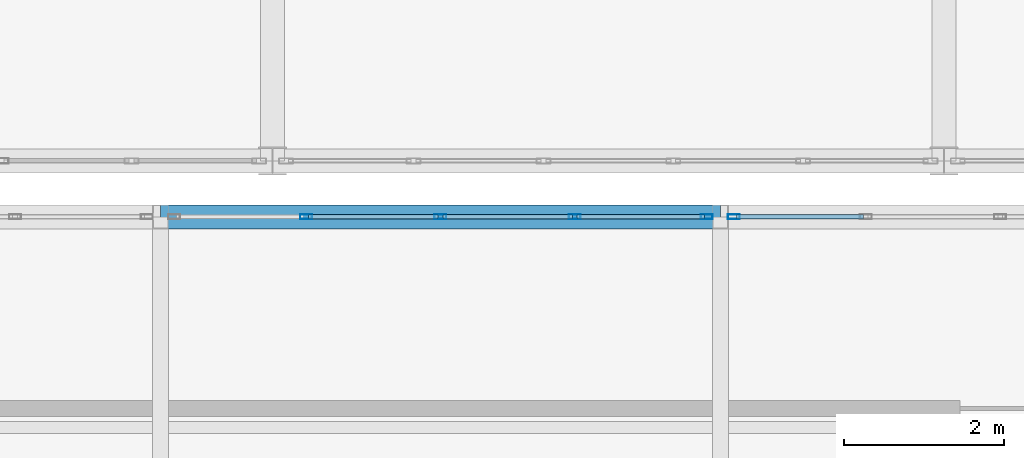
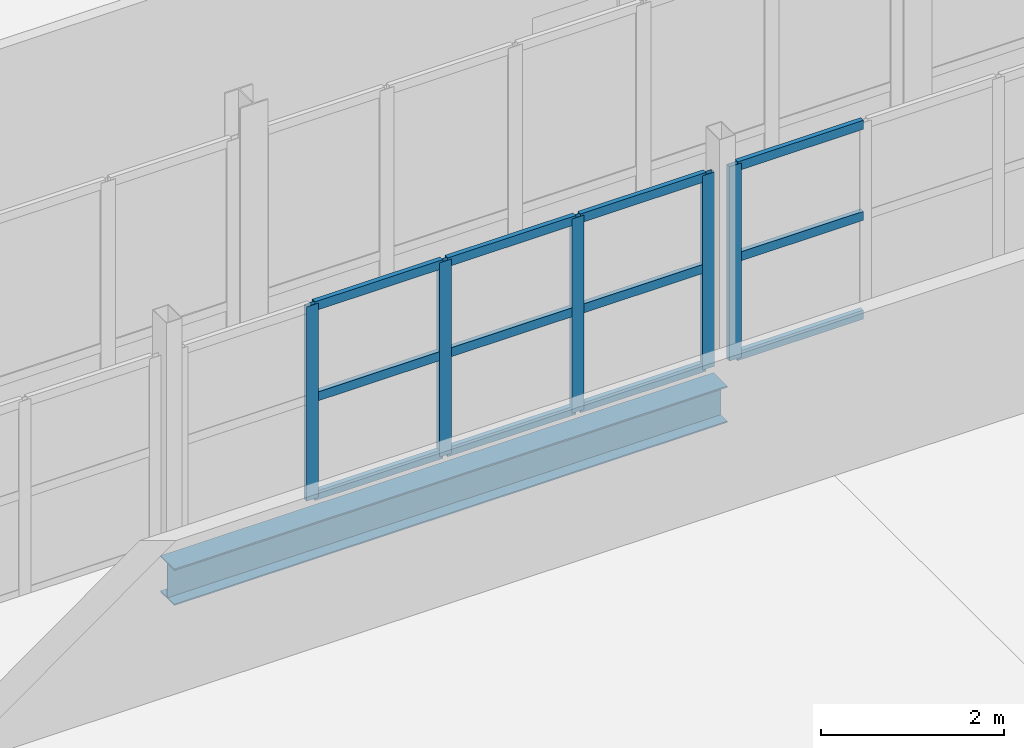
# One storey, part 70 of 218: 17 members, 1 beam, 2 elements without a shape of their own.
"""IFC4 building model written with IfcOpenShell, lengths in metres."""

from ifc_helpers import new_model, si_unit, direction, frame, origin, origin_2d, place, context, subcontext, project, spatial, hollow_rectangle, i_section, extrude, material, material_profile, profile_set, type_object, element, aggregate, save


model = new_model("IFC4")

# Units and contexts
model_context = context("Model", 3, precision=1e-05, world=origin(), true_north=direction((0.0, 1.0)))
body_context = subcontext(model_context, "Body", "Model", "MODEL_VIEW")
ifc_project = project(units=[si_unit("LENGTHUNIT", "METRE"), si_unit("AREAUNIT", "SQUARE_METRE"), si_unit("VOLUMEUNIT", "CUBIC_METRE"), si_unit("PLANEANGLEUNIT", "RADIAN"), si_unit("MASSUNIT", "GRAM", prefix="KILO")], contexts=[model_context])

# Site, building, storey
site_placement = place(None, origin())
site = spatial("IfcSite", under=ifc_project, at=site_placement, CompositionType="ELEMENT")
building_placement = place(site_placement, origin())
building = spatial("IfcBuilding", under=site, at=building_placement, Name="Kazenagashi Tramway Depot", CompositionType="ELEMENT")
storey_placement = place(building_placement, frame((0.0, 0.0, 6.0)))
storey = spatial("IfcBuildingStorey", under=building, at=storey_placement, Name="L02", CompositionType="ELEMENT", Elevation=6.0)

# Curtain wall, members
ifc_material_1 = material(Name="Anodised Aluminium and Low-E Glazing", Category="aluminium")
curtain_wall_type = type_object("IfcCurtainWallType", Name="CW-32", PredefinedType="USERDEFINED", material=ifc_material_1)
curtain_wall_1_placement = place(storey_placement, origin())
curtain_wall_1 = element("IfcCurtainWall", 1, at=curtain_wall_1_placement, inside=storey, type_object=curtain_wall_type, Name="Industrial Glazed Screen CW-32 CW-0175", ObjectType="GLAZED SCREEN", PredefinedType="USERDEFINED")
ifc_material_2 = material(Name="Anodised Aluminium", Category="aluminium")
ifc_material_profile_1 = material_profile(ifc_material_2, hollow_rectangle(XDim=0.06, YDim=0.15, WallThickness=0.004, at=origin_2d()), Name="RHS-150x60x4")
ifc_profile_set_1 = profile_set([ifc_material_profile_1], Name="Anodised Aluminium")
member_type_1 = type_object("IfcMemberType", Name="ML-01", PredefinedType="MULLION", material=ifc_profile_set_1)
member_1_placement = place(storey_placement, frame((112.42, 15.8, 0.0), z_axis=(0.0, 0.0, 1.0), x_axis=(0.0, 1.0, 0.0)))
member_1 = element("IfcMember", 2, at=member_1_placement, type_object=member_type_1, Name="CW-32 mullion 2", PredefinedType="MULLION", context=body_context, shape_type="SweptSolid", body=[
    extrude(hollow_rectangle(XDim=0.06, YDim=0.15, WallThickness=0.004, at=origin_2d()), origin(), (0.0, 0.0, 1.0), 2.6),
])
member_2_placement = place(storey_placement, frame((114.1, 15.8, 0.0), z_axis=(0.0, 0.0, 1.0), x_axis=(0.0, 1.0, 0.0)))
member_2 = element("IfcMember", 3, at=member_2_placement, type_object=member_type_1, Name="CW-32 mullion 3", PredefinedType="MULLION", context=body_context, shape_type="SweptSolid", body=[
    extrude(hollow_rectangle(XDim=0.06, YDim=0.15, WallThickness=0.004, at=origin_2d()), origin(), (0.0, 0.0, 1.0), 2.6),
])
member_3_placement = place(storey_placement, frame((115.78, 15.8, 0.0), z_axis=(0.0, 0.0, 1.0), x_axis=(0.0, 1.0, 0.0)))
member_3 = element("IfcMember", 4, at=member_3_placement, type_object=member_type_1, Name="CW-32 mullion 4", PredefinedType="MULLION", context=body_context, shape_type="SweptSolid", body=[
    extrude(hollow_rectangle(XDim=0.06, YDim=0.15, WallThickness=0.004, at=origin_2d()), origin(), (0.0, 0.0, 1.0), 2.6),
])
member_4_placement = place(storey_placement, frame((117.43, 15.8, 0.0), z_axis=(0.0, 0.0, 1.0), x_axis=(0.0, 1.0, 0.0)))
member_4 = element("IfcMember", 5, at=member_4_placement, type_object=member_type_1, Name="CW-32 mullion 5", PredefinedType="MULLION", context=body_context, shape_type="SweptSolid", body=[
    extrude(hollow_rectangle(XDim=0.06, YDim=0.15, WallThickness=0.004, at=origin_2d()), origin(), (0.0, 0.0, 1.0), 2.6),
])

# Curtain wall, member
curtain_wall_2_placement = place(storey_placement, origin())
curtain_wall_2 = element("IfcCurtainWall", 6, at=curtain_wall_2_placement, inside=storey, type_object=curtain_wall_type, Name="Industrial Glazed Screen CW-32 CW-0176", ObjectType="GLAZED SCREEN", PredefinedType="USERDEFINED")
member_5_placement = place(storey_placement, frame((117.77, 15.8, 0.0), z_axis=(0.0, 0.0, 1.0), x_axis=(0.0, 1.0, 0.0)))
member_5 = element("IfcMember", 7, at=member_5_placement, type_object=member_type_1, Name="CW-32 mullion 1", PredefinedType="MULLION", context=body_context, shape_type="SweptSolid", body=[
    extrude(hollow_rectangle(XDim=0.06, YDim=0.15, WallThickness=0.004, at=origin_2d()), origin(), (0.0, 0.0, 1.0), 2.6),
])

# Beam
ifc_material_3 = material(Name="Steel SN490B", Category="steel")
ifc_material_profile_2 = material_profile(ifc_material_3, i_section(OverallWidth=0.3, OverallDepth=0.488, WebThickness=0.011, FlangeThickness=0.018, at=origin_2d()), Name="H-488x300x11x18")
ifc_profile_set_2 = profile_set([ifc_material_profile_2], Name="Steel SN490B")
beam_type = type_object("IfcBeamType", Name="SP-02", PredefinedType="SPANDREL", material=ifc_profile_set_2)
beam_placement = place(storey_placement, frame((110.6, 15.8, -0.469), z_axis=(1.0, 0.0, 0.0), x_axis=(0.0, 1.0, 0.0)))
element("IfcBeam", 8, at=beam_placement, inside=storey, type_object=beam_type, Name="Beam SP-02 BM-1603", PredefinedType="SPANDREL", context=body_context, shape_type="SweptSolid", body=[
    extrude(i_section(OverallWidth=0.3, OverallDepth=0.488, WebThickness=0.011, FlangeThickness=0.018, at=origin_2d()), origin(), (0.0, 0.0, 1.0), 7.0),
])

# Member
ifc_material_profile_3 = material_profile(ifc_material_2, hollow_rectangle(XDim=0.06, YDim=0.12, WallThickness=0.004, at=origin_2d()), Name="RHS-120x60x4")
ifc_profile_set_3 = profile_set([ifc_material_profile_3], Name="Anodised Aluminium")
member_type_2 = type_object("IfcMemberType", Name="TR-01", PredefinedType="USERDEFINED", material=ifc_profile_set_3)
member_6_placement = place(storey_placement, frame((112.45, 15.8, 0.03), z_axis=(1.0, 0.0, 0.0), x_axis=(0.0, 1.0, 0.0)))
member_6 = element("IfcMember", 9, at=member_6_placement, type_object=member_type_2, Name="CW-32 transom 2.1", ObjectType="TRANSOM", PredefinedType="USERDEFINED", context=body_context, shape_type="SweptSolid", body=[
    extrude(hollow_rectangle(XDim=0.06, YDim=0.12, WallThickness=0.004, at=origin_2d()), origin(), (0.0, 0.0, 1.0), 1.62),
])

member_7_placement = place(storey_placement, frame((112.45, 15.8, 1.352), z_axis=(1.0, 0.0, 0.0), x_axis=(0.0, 1.0, 0.0)))
member_7 = element("IfcMember", 10, at=member_7_placement, type_object=member_type_2, Name="CW-32 transom 2.2", ObjectType="TRANSOM", PredefinedType="USERDEFINED", context=body_context, shape_type="SweptSolid", body=[
    extrude(hollow_rectangle(XDim=0.06, YDim=0.12, WallThickness=0.004, at=origin_2d()), origin(), (0.0, 0.0, 1.0), 1.62),
])

member_8_placement = place(storey_placement, frame((112.45, 15.8, 2.57), z_axis=(1.0, 0.0, 0.0), x_axis=(0.0, 1.0, 0.0)))
member_8 = element("IfcMember", 11, at=member_8_placement, type_object=member_type_2, Name="CW-32 transom 2.3", ObjectType="TRANSOM", PredefinedType="USERDEFINED", context=body_context, shape_type="SweptSolid", body=[
    extrude(hollow_rectangle(XDim=0.06, YDim=0.12, WallThickness=0.004, at=origin_2d()), origin(), (0.0, 0.0, 1.0), 1.62),
])

member_9_placement = place(storey_placement, frame((114.13, 15.8, 0.03), z_axis=(1.0, 0.0, 0.0), x_axis=(0.0, 1.0, 0.0)))
member_9 = element("IfcMember", 12, at=member_9_placement, type_object=member_type_2, Name="CW-32 transom 3.1", ObjectType="TRANSOM", PredefinedType="USERDEFINED", context=body_context, shape_type="SweptSolid", body=[
    extrude(hollow_rectangle(XDim=0.06, YDim=0.12, WallThickness=0.004, at=origin_2d()), origin(), (0.0, 0.0, 1.0), 1.62),
])

member_10_placement = place(storey_placement, frame((114.13, 15.8, 1.352), z_axis=(1.0, 0.0, 0.0), x_axis=(0.0, 1.0, 0.0)))
member_10 = element("IfcMember", 13, at=member_10_placement, type_object=member_type_2, Name="CW-32 transom 3.2", ObjectType="TRANSOM", PredefinedType="USERDEFINED", context=body_context, shape_type="SweptSolid", body=[
    extrude(hollow_rectangle(XDim=0.06, YDim=0.12, WallThickness=0.004, at=origin_2d()), origin(), (0.0, 0.0, 1.0), 1.62),
])

member_11_placement = place(storey_placement, frame((114.13, 15.8, 2.57), z_axis=(1.0, 0.0, 0.0), x_axis=(0.0, 1.0, 0.0)))
member_11 = element("IfcMember", 14, at=member_11_placement, type_object=member_type_2, Name="CW-32 transom 3.3", ObjectType="TRANSOM", PredefinedType="USERDEFINED", context=body_context, shape_type="SweptSolid", body=[
    extrude(hollow_rectangle(XDim=0.06, YDim=0.12, WallThickness=0.004, at=origin_2d()), origin(), (0.0, 0.0, 1.0), 1.62),
])

member_12_placement = place(storey_placement, frame((115.81, 15.8, 0.03), z_axis=(1.0, 0.0, 0.0), x_axis=(0.0, 1.0, 0.0)))
member_12 = element("IfcMember", 15, at=member_12_placement, type_object=member_type_2, Name="CW-32 transom 4.1", ObjectType="TRANSOM", PredefinedType="USERDEFINED", context=body_context, shape_type="SweptSolid", body=[
    extrude(hollow_rectangle(XDim=0.06, YDim=0.12, WallThickness=0.004, at=origin_2d()), origin(), (0.0, 0.0, 1.0), 1.59),
])

member_13_placement = place(storey_placement, frame((115.81, 15.8, 1.352), z_axis=(1.0, 0.0, 0.0), x_axis=(0.0, 1.0, 0.0)))
member_13 = element("IfcMember", 16, at=member_13_placement, type_object=member_type_2, Name="CW-32 transom 4.2", ObjectType="TRANSOM", PredefinedType="USERDEFINED", context=body_context, shape_type="SweptSolid", body=[
    extrude(hollow_rectangle(XDim=0.06, YDim=0.12, WallThickness=0.004, at=origin_2d()), origin(), (0.0, 0.0, 1.0), 1.59),
])

member_14_placement = place(storey_placement, frame((115.81, 15.8, 2.57), z_axis=(1.0, 0.0, 0.0), x_axis=(0.0, 1.0, 0.0)))
member_14 = element("IfcMember", 17, at=member_14_placement, type_object=member_type_2, Name="CW-32 transom 4.3", ObjectType="TRANSOM", PredefinedType="USERDEFINED", context=body_context, shape_type="SweptSolid", body=[
    extrude(hollow_rectangle(XDim=0.06, YDim=0.12, WallThickness=0.004, at=origin_2d()), origin(), (0.0, 0.0, 1.0), 1.59),
])

aggregate(curtain_wall_1, [member_1, member_2, member_3, member_4, member_6, member_7, member_8, member_9, member_10, member_11, member_12, member_13, member_14])

member_15_placement = place(storey_placement, frame((117.8, 15.8, 0.03), z_axis=(1.0, 0.0, 0.0), x_axis=(0.0, 1.0, 0.0)))
member_15 = element("IfcMember", 18, at=member_15_placement, type_object=member_type_2, Name="CW-32 transom 1.1", ObjectType="TRANSOM", PredefinedType="USERDEFINED", context=body_context, shape_type="SweptSolid", body=[
    extrude(hollow_rectangle(XDim=0.06, YDim=0.12, WallThickness=0.004, at=origin_2d()), origin(), (0.0, 0.0, 1.0), 1.59),
])

member_16_placement = place(storey_placement, frame((117.8, 15.8, 1.352), z_axis=(1.0, 0.0, 0.0), x_axis=(0.0, 1.0, 0.0)))
member_16 = element("IfcMember", 19, at=member_16_placement, type_object=member_type_2, Name="CW-32 transom 1.2", ObjectType="TRANSOM", PredefinedType="USERDEFINED", context=body_context, shape_type="SweptSolid", body=[
    extrude(hollow_rectangle(XDim=0.06, YDim=0.12, WallThickness=0.004, at=origin_2d()), origin(), (0.0, 0.0, 1.0), 1.59),
])

member_17_placement = place(storey_placement, frame((117.8, 15.8, 2.57), z_axis=(1.0, 0.0, 0.0), x_axis=(0.0, 1.0, 0.0)))
member_17 = element("IfcMember", 20, at=member_17_placement, type_object=member_type_2, Name="CW-32 transom 1.3", ObjectType="TRANSOM", PredefinedType="USERDEFINED", context=body_context, shape_type="SweptSolid", body=[
    extrude(hollow_rectangle(XDim=0.06, YDim=0.12, WallThickness=0.004, at=origin_2d()), origin(), (0.0, 0.0, 1.0), 1.59),
])

aggregate(curtain_wall_2, [member_5, member_15, member_16, member_17])

save(model, "model.ifc")
